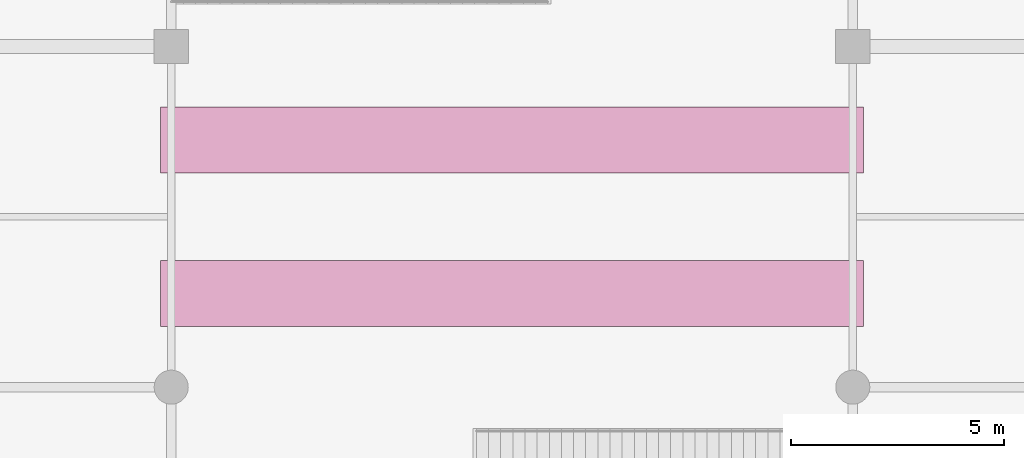
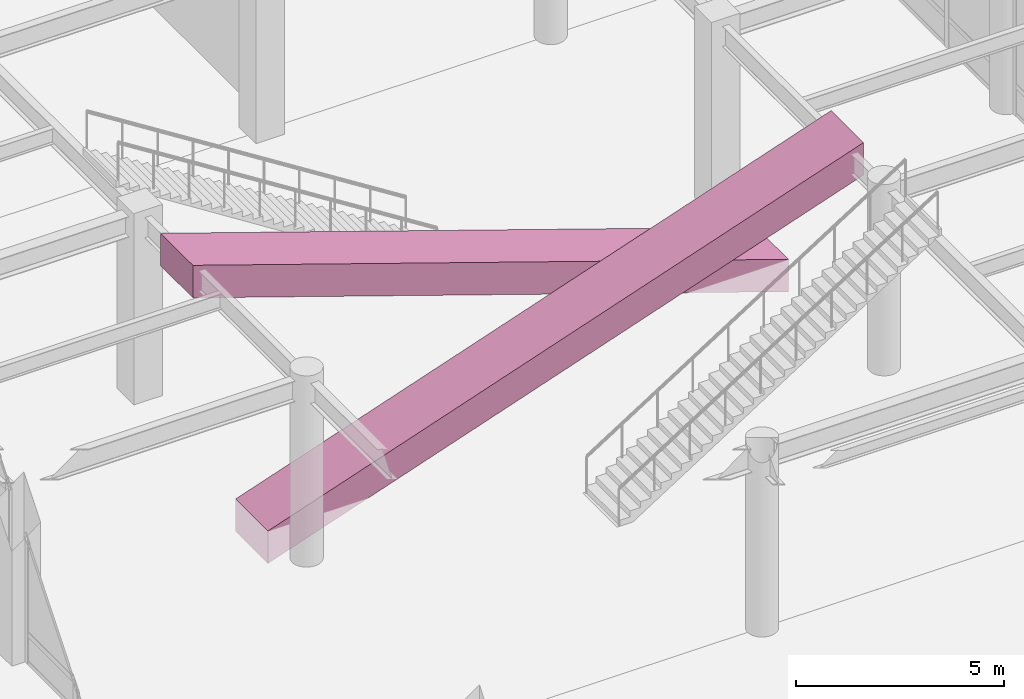
# One storey, part 128 of 128: 2 transport elements.
"""IFC4 building model written with IfcOpenShell, lengths in metres."""

from ifc_helpers import new_model, si_unit, direction, frame, origin, place, context, subcontext, project, spatial, polyline, outline, extrude, material, type_object, element, save


model = new_model("IFC4")

# Units and contexts
model_context = context("Model", 3, precision=1e-05, world=origin(), true_north=direction((0.0, 1.0)))
body_context = subcontext(model_context, "Body", "Model", "MODEL_VIEW")
ifc_project = project(units=[si_unit("LENGTHUNIT", "METRE"), si_unit("AREAUNIT", "SQUARE_METRE"), si_unit("VOLUMEUNIT", "CUBIC_METRE"), si_unit("PLANEANGLEUNIT", "RADIAN"), si_unit("MASSUNIT", "GRAM", prefix="KILO")], contexts=[model_context])

# Site, building, storey
site_placement = place(None, origin())
site = spatial("IfcSite", under=ifc_project, at=site_placement, CompositionType="ELEMENT")
building_placement = place(site_placement, origin())
building = spatial("IfcBuilding", under=site, at=building_placement, Name="Solmirada Galleria", CompositionType="ELEMENT")
storey_placement = place(building_placement, origin())
storey = spatial("IfcBuildingStorey", under=building, at=storey_placement, Name="L00", CompositionType="ELEMENT", Elevation=0.0)

# Transport elements
ifc_material = material(Name="Stainless-steel and stone elevator cab", Category="masonry")
transport_element_type = type_object("IfcTransportElementType", Name="ESC-ATRIUM-1000", PredefinedType="ESCALATOR", material=ifc_material)
for number, where, z_axis, x_axis, name in (
    (1, (87.85009765625, 58.199951171875, 0.0), (0.0, 0.0, 1.0), (1.0, 0.0, 0.0), "Atrium escalator L00 UP"),
    (2, (104.14990234375, 61.800048828125, 0.0), (0.0, 0.0, 1.0), (-1.0, 0.0, 0.0), "Atrium escalator L00 DN"),
):
    element("IfcTransportElement", number, at=place(storey_placement, frame(where, z_axis=z_axis, x_axis=x_axis)), inside=storey, type_object=transport_element_type, Name=name, PredefinedType="ESCALATOR", context=body_context, shape_type="SweptSolid", body=[
        extrude(outline(polyline([(-0.10009765625, 0.0), (16.400146484375, 5.60009765625), (16.400146484375, 4.650146484375), (-0.10009765625, -0.949951171875), (-0.10009765625, 0.0)])), frame((0.0, 0.77490234375, 0.0), z_axis=(0.0, -1.0, 0.0), x_axis=(1.0, 0.0, 0.0)), (0.0, 0.0, 1.0), 1.550048828125),
    ])

save(model, "model.ifc")
